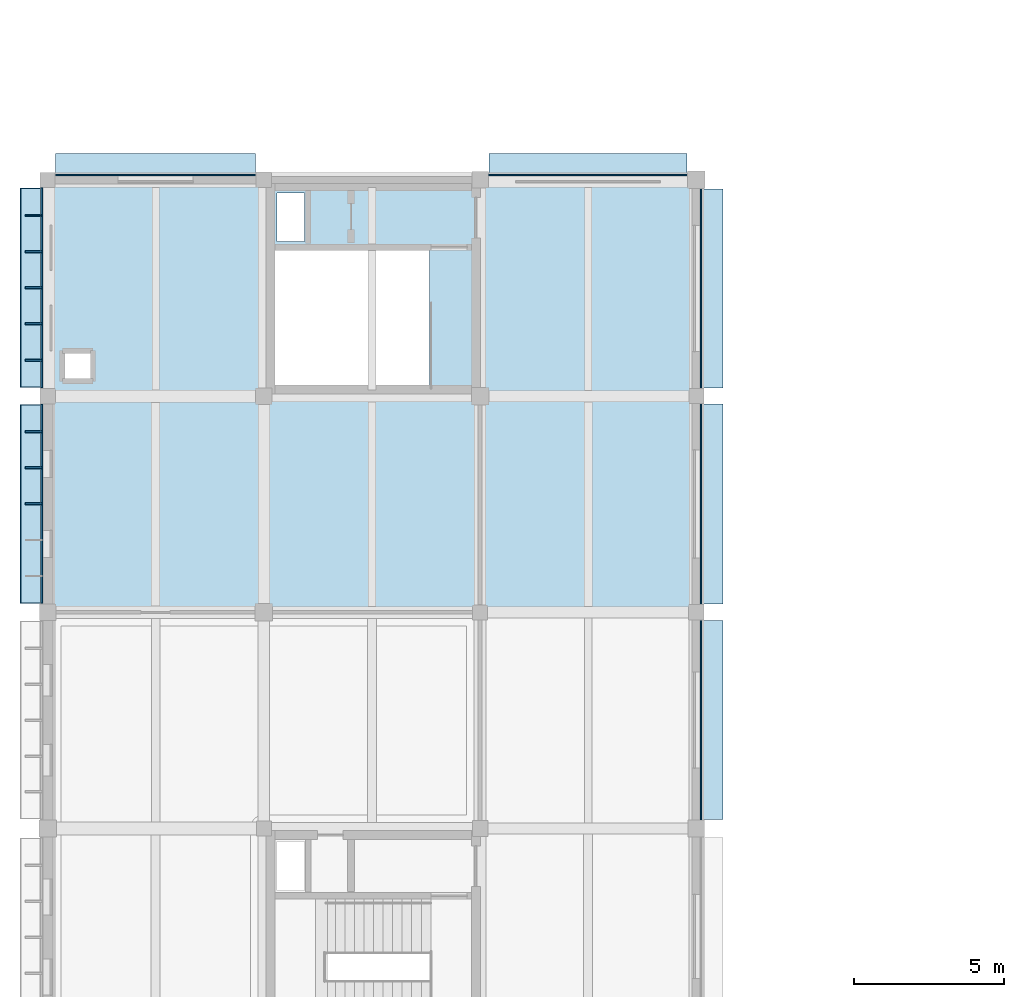
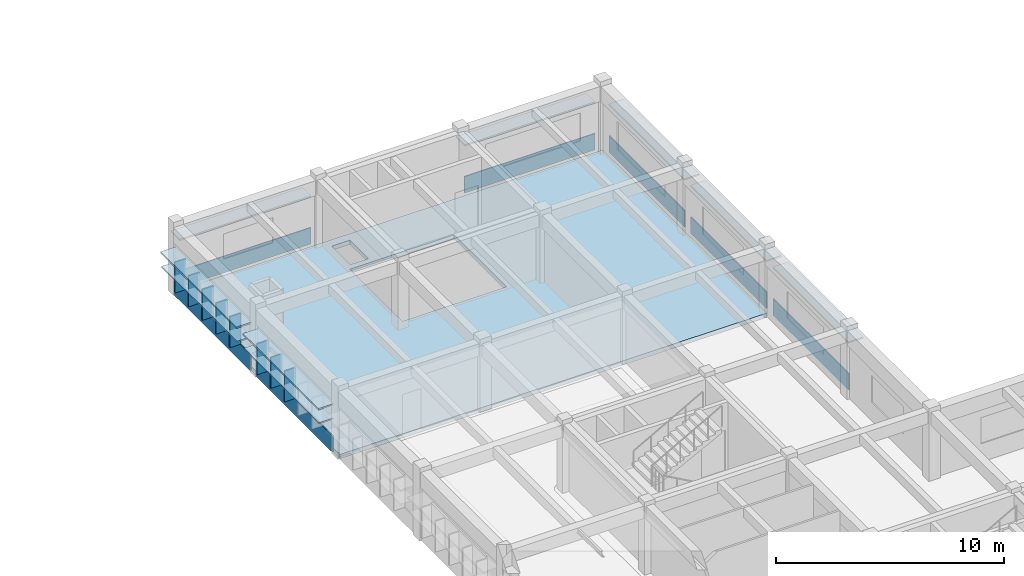
# One storey, part 10 of 19: 24 plates, 1 slab.
"""IFC4 building model written with IfcOpenShell, lengths in metres."""

from ifc_helpers import new_model, si_unit, direction, frame, origin, origin_2d, place, context, subcontext, project, spatial, polyline, rectangle, outline, extrude, material, layer, layer_set, type_object, element, save


model = new_model("IFC4")

# Units and contexts
model_context = context("Model", 3, precision=1e-05, world=origin(), true_north=direction((0.0, 1.0)))
body_context = subcontext(model_context, "Body", "Model", "MODEL_VIEW")
ifc_project = project(units=[si_unit("LENGTHUNIT", "METRE"), si_unit("AREAUNIT", "SQUARE_METRE"), si_unit("VOLUMEUNIT", "CUBIC_METRE"), si_unit("PLANEANGLEUNIT", "RADIAN"), si_unit("MASSUNIT", "GRAM", prefix="KILO")], contexts=[model_context])

# Site, building, storey
site_placement = place(None, origin())
site = spatial("IfcSite", under=ifc_project, at=site_placement, CompositionType="ELEMENT")
building_placement = place(site_placement, origin())
building = spatial("IfcBuilding", under=site, at=building_placement, Name="Thalmaran Polytechnic", CompositionType="ELEMENT")
storey_placement = place(building_placement, frame((0.0, 0.0, 26.699951171875)))
storey = spatial("IfcBuildingStorey", under=building, at=storey_placement, Name="L06", CompositionType="ELEMENT", Elevation=26.699951171875)

# Plates
ifc_material_1 = material(Name="Anodised aluminium spandrel band", Category="aluminium")
ifc_layer_1 = layer(ifc_material_1, 0.054931640625, Name="Anodised aluminium spandrel band")
ifc_layer_set_1 = layer_set([ifc_layer_1], Name="Anodised aluminium spandrel band")
plate_type_1 = type_object("IfcPlateType", Name="PT-BD01", PredefinedType="SHEET", material=ifc_layer_set_1)
plate_1_placement = place(storey_placement, frame((-0.195068359375, 39.607421875, 0.02001953125), z_axis=(0.0, 0.0, 1.0), x_axis=(0.0, 1.0, 0.0)))
element("IfcPlate", 1, at=plate_1_placement, inside=storey, type_object=plate_type_1, Name="Streamline Horizontal Spandrel Band L06-009", PredefinedType="SHEET", context=body_context, shape_type="SweptSolid", body=[
    extrude(rectangle(XDim=6.625, YDim=0.054931640625, at=origin_2d()), origin(), (0.0, 0.0, 1.0), 0.8798828125),
])
for number, where, z_axis, x_axis, name in (
    (2, (-0.195068359375, 46.804931640625, 0.02001953125), (0.0, 0.0, 1.0), (0.0, 1.0, 0.0), "Streamline Horizontal Spandrel Band L06-010"),
    (3, (3.594970703125, 50.56005859375, 0.02001953125), (0.0, 0.0, 1.0), (1.0, 0.0, 0.0), "Streamline Horizontal Spandrel Band L06-011"),
):
    element("IfcPlate", number, at=place(storey_placement, frame(where, z_axis=z_axis, x_axis=x_axis)), inside=storey, type_object=plate_type_1, Name=name, PredefinedType="SHEET", context=body_context, shape_type="SweptSolid", body=[
        extrude(rectangle(XDim=6.64990234375, YDim=0.054931640625, at=origin_2d()), origin(), (0.0, 0.0, 1.0), 0.8798828125),
    ])
plate_2_placement = place(storey_placement, frame((17.992431640625, 50.56005859375, 0.02001953125), z_axis=(0.0, 0.0, 1.0), x_axis=(1.0, 0.0, 0.0)))
element("IfcPlate", 4, at=plate_2_placement, inside=storey, type_object=plate_type_1, Name="Streamline Horizontal Spandrel Band L06-013", PredefinedType="SHEET", context=body_context, shape_type="SweptSolid", body=[
    extrude(rectangle(XDim=6.594970703125, YDim=0.054931640625, at=origin_2d()), origin(), (0.0, 0.0, 1.0), 0.8798828125),
])
plate_3_placement = place(storey_placement, frame((21.760009765625, 46.780029296875, 0.02001953125), z_axis=(0.0, 0.0, 1.0), x_axis=(0.0, -1.0, 0.0)))
element("IfcPlate", 5, at=plate_3_placement, inside=storey, type_object=plate_type_1, Name="Streamline Horizontal Spandrel Band L06-014", PredefinedType="SHEET", context=body_context, shape_type="SweptSolid", body=[
    extrude(rectangle(XDim=6.6201171875, YDim=0.054931640625, at=origin_2d()), origin(), (0.0, 0.0, 1.0), 0.8798828125),
])
plate_4_placement = place(storey_placement, frame((21.760009765625, 39.60498046875, 0.02001953125), z_axis=(0.0, 0.0, 1.0), x_axis=(0.0, -1.0, 0.0)))
element("IfcPlate", 6, at=plate_4_placement, inside=storey, type_object=plate_type_1, Name="Streamline Horizontal Spandrel Band L06-015", PredefinedType="SHEET", context=body_context, shape_type="SweptSolid", body=[
    extrude(rectangle(XDim=6.64990234375, YDim=0.054931640625, at=origin_2d()), origin(), (0.0, 0.0, 1.0), 0.8798828125),
])
plate_5_placement = place(storey_placement, frame((21.760009765625, 32.407470703125, 0.02001953125), z_axis=(0.0, 0.0, 1.0), x_axis=(0.0, -1.0, 0.0)))
element("IfcPlate", 7, at=plate_5_placement, inside=storey, type_object=plate_type_1, Name="Streamline Horizontal Spandrel Band L06-016", PredefinedType="SHEET", context=body_context, shape_type="SweptSolid", body=[
    extrude(rectangle(XDim=6.625, YDim=0.054931640625, at=origin_2d()), origin(), (0.0, 0.0, 1.0), 0.8798828125),
])
ifc_material_2 = material(Name="Anodised aluminium sun-hood eyebrow", Category="aluminium")
ifc_layer_2 = layer(ifc_material_2, 0.0849609375, Name="Anodised aluminium sun-hood eyebrow")
ifc_layer_set_2 = layer_set([ifc_layer_2], Name="Anodised aluminium sun-hood eyebrow")
plate_type_2 = type_object("IfcPlateType", Name="PT-EB01", PredefinedType="SHEET", material=ifc_layer_set_2)
plate_6_placement = place(storey_placement, frame((-0.5400390625, 39.607421875, 2.517578125), z_axis=(0.0, 0.0, 1.0), x_axis=(0.0, 1.0, 0.0)))
element("IfcPlate", 8, at=plate_6_placement, inside=storey, type_object=plate_type_2, Name="Streamline Sun-Hood Eyebrow L06-009", PredefinedType="SHEET", context=body_context, shape_type="SweptSolid", body=[
    extrude(rectangle(XDim=6.625, YDim=0.760009765625, at=origin_2d()), origin(), (0.0, 0.0, 1.0), 0.0849609375),
])
plate_7_placement = place(storey_placement, frame((-0.52001953125, 39.607421875, 1.74267578125), z_axis=(0.0, 0.0, 1.0), x_axis=(0.0, 1.0, 0.0)))
element("IfcPlate", 9, at=plate_7_placement, inside=storey, type_object=plate_type_2, Name="Abu Dhabi Horizontal Solar Louvre L06-009", PredefinedType="SHEET", context=body_context, shape_type="SweptSolid", body=[
    extrude(rectangle(XDim=6.5849609375, YDim=0.719970703125, at=origin_2d()), origin(), (0.0, 0.0, 1.0), 0.074951171875),
])
plate_8_placement = place(storey_placement, frame((-0.5400390625, 46.804931640625, 2.517578125), z_axis=(0.0, 0.0, 1.0), x_axis=(0.0, 1.0, 0.0)))
element("IfcPlate", 10, at=plate_8_placement, inside=storey, type_object=plate_type_2, Name="Streamline Sun-Hood Eyebrow L06-010", PredefinedType="SHEET", context=body_context, shape_type="SweptSolid", body=[
    extrude(rectangle(XDim=6.64990234375, YDim=0.760009765625, at=origin_2d()), origin(), (0.0, 0.0, 1.0), 0.0849609375),
])
plate_9_placement = place(storey_placement, frame((-0.52001953125, 46.804931640625, 1.74267578125), z_axis=(0.0, 0.0, 1.0), x_axis=(0.0, 1.0, 0.0)))
element("IfcPlate", 11, at=plate_9_placement, inside=storey, type_object=plate_type_2, Name="Abu Dhabi Horizontal Solar Louvre L06-010", PredefinedType="SHEET", context=body_context, shape_type="SweptSolid", body=[
    extrude(rectangle(XDim=6.610107421875, YDim=0.719970703125, at=origin_2d()), origin(), (0.0, 0.0, 1.0), 0.074951171875),
])
plate_10_placement = place(storey_placement, frame((3.594970703125, 50.905029296875, 2.517578125), z_axis=(0.0, 0.0, 1.0), x_axis=(1.0, 0.0, 0.0)))
element("IfcPlate", 12, at=plate_10_placement, inside=storey, type_object=plate_type_2, Name="Streamline Sun-Hood Eyebrow L06-011", PredefinedType="SHEET", context=body_context, shape_type="SweptSolid", body=[
    extrude(rectangle(XDim=6.64990234375, YDim=0.760009765625, at=origin_2d()), origin(), (0.0, 0.0, 1.0), 0.0849609375),
])
plate_11_placement = place(storey_placement, frame((17.992431640625, 50.905029296875, 2.517578125), z_axis=(0.0, 0.0, 1.0), x_axis=(1.0, 0.0, 0.0)))
element("IfcPlate", 13, at=plate_11_placement, inside=storey, type_object=plate_type_2, Name="Streamline Sun-Hood Eyebrow L06-013", PredefinedType="SHEET", context=body_context, shape_type="SweptSolid", body=[
    extrude(rectangle(XDim=6.594970703125, YDim=0.760009765625, at=origin_2d()), origin(), (0.0, 0.0, 1.0), 0.0849609375),
])
plate_12_placement = place(storey_placement, frame((22.10498046875, 46.780029296875, 2.517578125), z_axis=(0.0, 0.0, 1.0), x_axis=(0.0, -1.0, 0.0)))
element("IfcPlate", 14, at=plate_12_placement, inside=storey, type_object=plate_type_2, Name="Streamline Sun-Hood Eyebrow L06-014", PredefinedType="SHEET", context=body_context, shape_type="SweptSolid", body=[
    extrude(rectangle(XDim=6.6201171875, YDim=0.760009765625, at=origin_2d()), origin(), (0.0, 0.0, 1.0), 0.0849609375),
])
plate_13_placement = place(storey_placement, frame((22.10498046875, 39.60498046875, 2.517578125), z_axis=(0.0, 0.0, 1.0), x_axis=(0.0, -1.0, 0.0)))
element("IfcPlate", 15, at=plate_13_placement, inside=storey, type_object=plate_type_2, Name="Streamline Sun-Hood Eyebrow L06-015", PredefinedType="SHEET", context=body_context, shape_type="SweptSolid", body=[
    extrude(rectangle(XDim=6.64990234375, YDim=0.760009765625, at=origin_2d()), origin(), (0.0, 0.0, 1.0), 0.0849609375),
])
plate_14_placement = place(storey_placement, frame((22.10498046875, 32.407470703125, 2.517578125), z_axis=(0.0, 0.0, 1.0), x_axis=(0.0, -1.0, 0.0)))
element("IfcPlate", 16, at=plate_14_placement, inside=storey, type_object=plate_type_2, Name="Streamline Sun-Hood Eyebrow L06-016", PredefinedType="SHEET", context=body_context, shape_type="SweptSolid", body=[
    extrude(rectangle(XDim=6.625, YDim=0.760009765625, at=origin_2d()), origin(), (0.0, 0.0, 1.0), 0.0849609375),
])
ifc_material_3 = material(Name="Anodised bronze brise-soleil fin")
ifc_layer_3 = layer(ifc_material_3, 0.06494140625, Name="Anodised bronze brise-soleil fin")
ifc_layer_set_3 = layer_set([ifc_layer_3], Name="Anodised bronze brise-soleil fin")
plate_type_3 = type_object("IfcPlateType", Name="PT-FN01", PredefinedType="SHEET", material=ifc_layer_set_3)
for number, where, z_axis, x_axis, name in (
    (17, (-0.4599609375, 39.607421875, 0.89501953125), (0.0, 0.0, 1.0), (0.0, 1.0, 0.0), "Abu Dhabi Solar Brise-Soleil Fin L06-009-3"),
    (18, (-0.4599609375, 40.80712890625, 0.89501953125), (0.0, 0.0, 1.0), (0.0, 1.0, 0.0), "Abu Dhabi Solar Brise-Soleil Fin L06-009-4"),
    (19, (-0.4599609375, 42.0068359375, 0.89501953125), (0.0, 0.0, 1.0), (0.0, 1.0, 0.0), "Abu Dhabi Solar Brise-Soleil Fin L06-009-5"),
    (20, (-0.4599609375, 44.396484375, 0.89501953125), (0.0, 0.0, 1.0), (0.0, 1.0, 0.0), "Abu Dhabi Solar Brise-Soleil Fin L06-010-1"),
    (21, (-0.4599609375, 45.600830078125, 0.89501953125), (0.0, 0.0, 1.0), (0.0, 1.0, 0.0), "Abu Dhabi Solar Brise-Soleil Fin L06-010-2"),
    (22, (-0.4599609375, 46.804931640625, 0.89501953125), (0.0, 0.0, 1.0), (0.0, 1.0, 0.0), "Abu Dhabi Solar Brise-Soleil Fin L06-010-3"),
    (23, (-0.4599609375, 48.00927734375, 0.89501953125), (0.0, 0.0, 1.0), (0.0, 1.0, 0.0), "Abu Dhabi Solar Brise-Soleil Fin L06-010-4"),
    (24, (-0.4599609375, 49.21337890625, 0.89501953125), (0.0, 0.0, 1.0), (0.0, 1.0, 0.0), "Abu Dhabi Solar Brise-Soleil Fin L06-010-5"),
):
    element("IfcPlate", number, at=place(storey_placement, frame(where, z_axis=z_axis, x_axis=x_axis)), inside=storey, type_object=plate_type_3, Name=name, PredefinedType="SHEET", context=body_context, shape_type="SweptSolid", body=[
        extrude(rectangle(XDim=0.06494140625, YDim=0.56005859375, at=origin_2d()), origin(), (0.0, 0.0, 1.0), 1.64990234375),
    ])

# Slab
ifc_material_4 = material(Name="Concrete C40/50", Category="concrete")
ifc_layer_4 = layer(ifc_material_4, 0.22998046875, Name="Concrete C40/50")
ifc_layer_set_4 = layer_set([ifc_layer_4], Name="Concrete C40/50")
slab_type = type_object("IfcSlabType", Name="SL-FL08", PredefinedType="FLOOR", material=ifc_layer_set_4)
slab_placement = place(storey_placement, frame((0.0, 0.0, -0.22998046875)))
element("IfcSlab", 25, at=slab_placement, inside=storey, type_object=slab_type, Name="V1N L06 Structural Slab", PredefinedType="FLOOR", context=body_context, shape_type="SweptSolid", body=[
    extrude(outline(polyline([(14.39990234375, 50.39990234375), (21.60009765625, 50.39990234375), (21.60009765625, 43.199951171875), (21.60009765625, 36.0), (14.39990234375, 36.0), (7.199951171875, 36.0), (0.0, 36.0), (0.0, 43.199951171875), (0.0, 50.39990234375), (7.199951171875, 50.39990234375), (14.39990234375, 50.39990234375)]), holes=[polyline([(7.449951171875, 43.449951171875), (12.719970703125, 43.449951171875), (12.719970703125, 48.0400390625), (7.449951171875, 48.0400390625), (7.449951171875, 43.449951171875)]), polyline([(7.639892578125, 49.9599609375), (7.639892578125, 48.340087890625), (8.56005859375, 48.340087890625), (8.56005859375, 49.9599609375), (7.639892578125, 49.9599609375)]), polyline([(1.449951171875, 44.64990234375), (0.550048828125, 44.64990234375), (0.550048828125, 43.75), (1.449951171875, 43.75), (1.449951171875, 44.64990234375)])]), origin(), (0.0, 0.0, 1.0), 0.22998046875),
])

save(model, "model.ifc")
